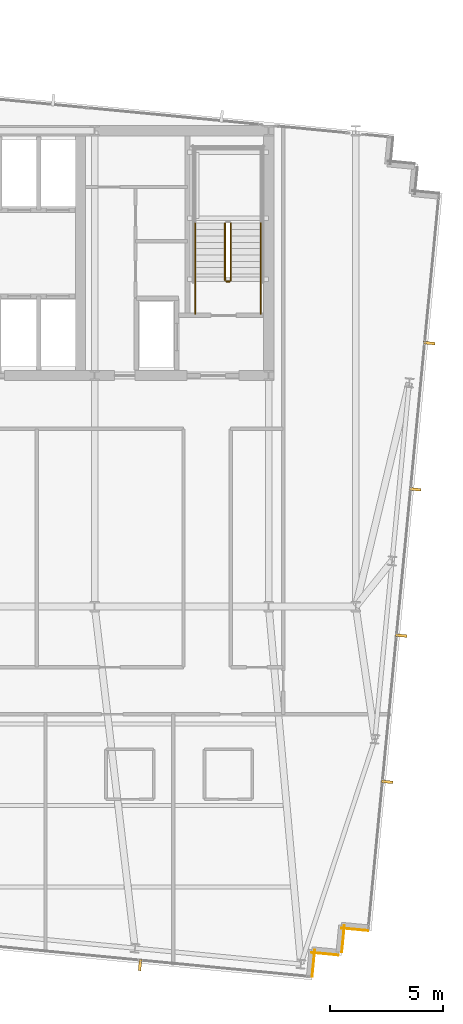
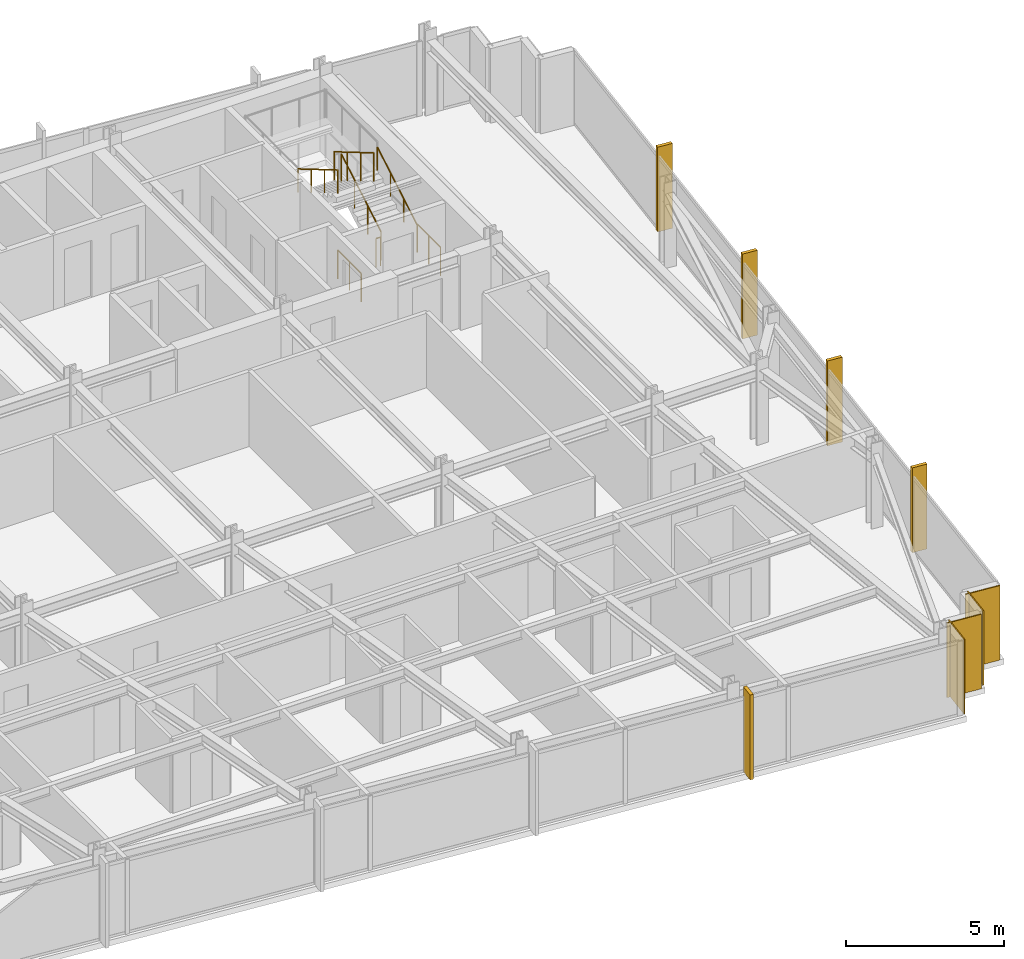
# One storey, part 35 of 37: 7 railings, 5 shading devices, 4 coverings.
"""IFC4 building model written with IfcOpenShell, lengths in metres."""

from ifc_helpers import new_model, si_unit, direction, frame, frame_2d, origin, origin_2d, place, context, subcontext, project, spatial, rectangle, circle, extrude, material, layer, layer_set, type_object, element, save


model = new_model("IFC4")

# Units and contexts
model_context = context("Model", 3, precision=1e-05, world=origin(), true_north=direction((0.0, 1.0)))
body_context = subcontext(model_context, "Body", "Model", "MODEL_VIEW")
ifc_project = project(units=[si_unit("LENGTHUNIT", "METRE"), si_unit("AREAUNIT", "SQUARE_METRE"), si_unit("VOLUMEUNIT", "CUBIC_METRE"), si_unit("PLANEANGLEUNIT", "RADIAN"), si_unit("MASSUNIT", "GRAM", prefix="KILO")], contexts=[model_context])

# Site, building, storey
site_placement = place(None, origin())
site = spatial("IfcSite", under=ifc_project, at=site_placement, CompositionType="ELEMENT")
building_placement = place(site_placement, origin())
building = spatial("IfcBuilding", under=site, at=building_placement, Name="Yelkora Congress Tower", CompositionType="ELEMENT")
storey_placement = place(building_placement, frame((0.0, 0.0, 188.60009765625)))
storey = spatial("IfcBuildingStorey", under=building, at=storey_placement, Name="L52", CompositionType="ELEMENT", Elevation=188.60009765625)

# Coverings
ifc_material_1 = material(Name="Anatolian bush-hammered limestone", Category="masonry")
ifc_layer_1 = layer(ifc_material_1, 0.0400390625)
ifc_layer_set_1 = layer_set([ifc_layer_1], Name="Anatolian bush-hammered limestone")
covering_type = type_object("IfcCoveringType", Name="COV-CLAD-SPANDREL-40", PredefinedType="CLADDING", material=ifc_layer_set_1)
covering_1_placement = place(storey_placement, frame((58.1474609375, 10.898681640625, 0.0), z_axis=(0.0, 0.0, 1.0), x_axis=(-0.995379537303, 0.096018626938, 0.0)))
element("IfcCovering", 1, at=covering_1_placement, inside=storey, type_object=covering_type, Name="L52 Anatolian Limestone Cladding EW-L52-SR16", PredefinedType="CLADDING", context=body_context, shape_type="SweptSolid", body=[
    extrude(rectangle(XDim=1.2001953125, YDim=0.0400390625, at=frame_2d((0.60009765625, 0.0))), origin(), (0.0, 0.0, 1.0), 2.8798828125),
])
covering_2_placement = place(storey_placement, frame((57.10009765625, 11.13525390625, 0.0), z_axis=(0.0, 0.0, 1.0), x_axis=(-0.095836473879, -0.995397091755, 0.0)))
element("IfcCovering", 2, at=covering_2_placement, inside=storey, type_object=covering_type, Name="L52 Anatolian Limestone Cladding EW-L52-SR17", PredefinedType="CLADDING", context=body_context, shape_type="SweptSolid", body=[
    extrude(rectangle(XDim=1.199951171875, YDim=0.0400390625, at=frame_2d((0.60009765625, 0.0))), origin(), (0.0, 0.0, 1.0), 2.8798828125),
])
for number, where, z_axis, x_axis, name in (
    (3, (56.837890625, 9.8193359375, 0.0), (0.0, 0.0, 1.0), (-0.995398960025, 0.095817067274, 0.0), "L52 Anatolian Limestone Cladding EW-L52-SR18"),
    (4, (55.790771484375, 10.055908203125, 0.0), (0.0, 0.0, 1.0), (-0.095817067274, -0.995398960025, 0.0), "L52 Anatolian Limestone Cladding EW-L52-SR19"),
):
    element("IfcCovering", number, at=place(storey_placement, frame(where, z_axis=z_axis, x_axis=x_axis)), inside=storey, type_object=covering_type, Name=name, PredefinedType="CLADDING", context=body_context, shape_type="SweptSolid", body=[
        extrude(rectangle(XDim=1.2001953125, YDim=0.0400390625, at=frame_2d((0.60009765625, 0.0))), origin(), (0.0, 0.0, 1.0), 2.8798828125),
    ])

# Railings
ifc_material_2 = material(Name="Painted galvanised steel stair well guard with vertical infill", Category="steel")
ifc_layer_2 = layer(ifc_material_2, 0.06005859375)
ifc_layer_set_2 = layer_set([ifc_layer_2], Name="Painted galvanised steel stair well guard with vertical infill")
railing_type_1 = type_object("IfcRailingType", Name="RAIL-STAIR-GUARD-1120", PredefinedType="GUARDRAIL", material=ifc_layer_set_2)
railing_1_placement = place(storey_placement, frame((52.090087890625, 39.60009765625, 0.164794921875)))
element("IfcRailing", 5, at=railing_1_placement, inside=storey, type_object=railing_type_1, Name="ST-02 L52 Stair Well Guardrail 1", PredefinedType="GUARDRAIL", context=body_context, shape_type="SweptSolid", body=[
    extrude(circle(Radius=0.02392578125, at=origin_2d()), frame((0.0, 0.0, 1.09619140625), z_axis=(0.0, 0.86152411907, 0.507716645641), x_axis=(-1.0, 0.0, 0.0)), (0.0, 0.0, 1.0), 2.925048828125),
    extrude(circle(Radius=0.02099609375, at=origin_2d()), origin(), (0.0, 0.0, 1.0), 1.072021484375),
    extrude(circle(Radius=0.02099609375, at=origin_2d()), frame((0.0, 0.840087890625, 0.4951171875)), (0.0, 0.0, 1.0), 1.072021484375),
    extrude(circle(Radius=0.02099609375, at=origin_2d()), frame((0.0, 1.679931640625, 0.989990234375)), (0.0, 0.0, 1.0), 1.072021484375),
    extrude(circle(Radius=0.02099609375, at=origin_2d()), frame((0.0, 2.52001953125, 1.485107421875)), (0.0, 0.0, 1.0), 1.072021484375),
])
railing_2_placement = place(storey_placement, frame((51.830078125, 42.1201171875, 1.81494140625)))
element("IfcRailing", 6, at=railing_2_placement, inside=storey, type_object=railing_type_1, Name="ST-02 L52 Stair Well Guardrail 6", PredefinedType="GUARDRAIL", context=body_context, shape_type="SweptSolid", body=[
    extrude(circle(Radius=0.02392578125, at=origin_2d()), frame((0.0, 0.0, 1.09619140625), z_axis=(0.0, -0.861560626758, 0.507654692109), x_axis=(1.0, 0.0, 0.0)), (0.0, 0.0, 1.0), 2.925048828125),
    extrude(circle(Radius=0.02099609375, at=origin_2d()), origin(), (0.0, 0.0, 1.0), 1.072021484375),
    extrude(circle(Radius=0.02099609375, at=origin_2d()), frame((0.0, -0.840087890625, 0.494873046875)), (0.0, 0.0, 1.0), 1.072021484375),
    extrude(circle(Radius=0.02099609375, at=origin_2d()), frame((0.0, -1.679931640625, 0.989990234375)), (0.0, 0.0, 1.0), 1.072021484375),
    extrude(circle(Radius=0.02099609375, at=origin_2d()), frame((0.0, -2.52001953125, 1.48486328125)), (0.0, 0.0, 1.0), 1.072021484375),
])
railing_3_placement = place(storey_placement, frame((52.0400390625, 39.550048828125, 0.0)))
element("IfcRailing", 7, at=railing_3_placement, inside=storey, type_object=railing_type_1, Name="ST-02 L52 Stair Well Guardrail 7", PredefinedType="GUARDRAIL", context=body_context, shape_type="SweptSolid", body=[
    extrude(circle(Radius=0.02392578125, at=origin_2d()), frame((0.0, 0.0, 1.09619140625), z_axis=(-1.0, 0.0, 0.0), x_axis=(0.0, -1.0, 0.0)), (0.0, 0.0, 1.0), 0.16015625),
    extrude(circle(Radius=0.02099609375, at=origin_2d()), origin(), (0.0, 0.0, 1.0), 1.072021484375),
    extrude(circle(Radius=0.02099609375, at=origin_2d()), frame((-0.16015625, 0.0, 0.0)), (0.0, 0.0, 1.0), 1.072021484375),
])
for number, where, name in (
    (8, (53.409912109375, 38.1201171875, 0.0), "ST-02 L52 Stair Well Guardrail 8"),
    (9, (50.510009765625, 38.1201171875, 0.0), "ST-02 L52 Stair Well Guardrail 9"),
):
    element("IfcRailing", number, at=place(storey_placement, frame(where)), inside=storey, type_object=railing_type_1, Name=name, PredefinedType="GUARDRAIL", context=body_context, shape_type="SweptSolid", body=[
        extrude(circle(Radius=0.02392578125, at=origin_2d()), frame((0.0, 0.0, 1.09619140625), z_axis=(0.0, 1.0, 0.0), x_axis=(-1.0, 0.0, 0.0)), (0.0, 0.0, 1.0), 1.47998046875),
        extrude(circle(Radius=0.02099609375, at=origin_2d()), origin(), (0.0, 0.0, 1.0), 1.072021484375),
        extrude(circle(Radius=0.02099609375, at=origin_2d()), frame((0.0, 0.739990234375, 0.0)), (0.0, 0.0, 1.0), 1.072021484375),
        extrude(circle(Radius=0.02099609375, at=origin_2d()), frame((0.0, 1.47998046875, 0.0)), (0.0, 0.0, 1.0), 1.072021484375),
    ])
ifc_material_3 = material(Name="Brushed stainless steel tubular handrail", Category="steel")
ifc_layer_3 = layer(ifc_material_3, 0.050048828125)
ifc_layer_set_3 = layer_set([ifc_layer_3], Name="Brushed stainless steel tubular handrail")
railing_type_2 = type_object("IfcRailingType", Name="RAIL-STAIR-HAND-920", PredefinedType="HANDRAIL", material=ifc_layer_set_3)
railing_4_placement = place(storey_placement, frame((53.409912109375, 39.60009765625, 0.164794921875)))
element("IfcRailing", 10, at=railing_4_placement, inside=storey, type_object=railing_type_2, Name="ST-02 L52 Pitch Handrail 1", PredefinedType="HANDRAIL", context=body_context, shape_type="SweptSolid", body=[
    extrude(circle(Radius=0.02392578125, at=origin_2d()), frame((0.0, 0.0, 0.89599609375), z_axis=(0.0, 0.86152411907, 0.507716645641), x_axis=(-1.0, 0.0, 0.0)), (0.0, 0.0, 1.0), 2.925048828125),
    extrude(circle(Radius=0.02099609375, at=origin_2d()), origin(), (0.0, 0.0, 1.0), 0.871826171875),
    extrude(circle(Radius=0.02099609375, at=origin_2d()), frame((0.0, 0.840087890625, 0.4951171875)), (0.0, 0.0, 1.0), 0.871826171875),
    extrude(circle(Radius=0.02099609375, at=origin_2d()), frame((0.0, 1.679931640625, 0.989990234375)), (0.0, 0.0, 1.0), 0.871826171875),
    extrude(circle(Radius=0.02099609375, at=origin_2d()), frame((0.0, 2.52001953125, 1.485107421875)), (0.0, 0.0, 1.0), 0.871826171875),
])
railing_5_placement = place(storey_placement, frame((50.510009765625, 42.1201171875, 1.81494140625)))
element("IfcRailing", 11, at=railing_5_placement, inside=storey, type_object=railing_type_2, Name="ST-02 L52 Pitch Handrail 2", PredefinedType="HANDRAIL", context=body_context, shape_type="SweptSolid", body=[
    extrude(circle(Radius=0.02392578125, at=origin_2d()), frame((0.0, 0.0, 0.89599609375), z_axis=(0.0, -0.861560626758, 0.507654692109), x_axis=(1.0, 0.0, 0.0)), (0.0, 0.0, 1.0), 2.925048828125),
    extrude(circle(Radius=0.02099609375, at=origin_2d()), origin(), (0.0, 0.0, 1.0), 0.871826171875),
    extrude(circle(Radius=0.02099609375, at=origin_2d()), frame((0.0, -0.840087890625, 0.494873046875)), (0.0, 0.0, 1.0), 0.871826171875),
    extrude(circle(Radius=0.02099609375, at=origin_2d()), frame((0.0, -1.679931640625, 0.989990234375)), (0.0, 0.0, 1.0), 0.871826171875),
    extrude(circle(Radius=0.02099609375, at=origin_2d()), frame((0.0, -2.52001953125, 1.48486328125)), (0.0, 0.0, 1.0), 0.871826171875),
])

# Shading devices
ifc_material_4 = material(Name="Champagne anodised aluminium", Category="aluminium")
ifc_layer_4 = layer(ifc_material_4, 3.300048828125)
ifc_layer_set_4 = layer_set([ifc_layer_4], Name="Champagne anodised aluminium")
shading_device_type = type_object("IfcShadingDeviceType", Name="SHD-FIN-ALU-520", PredefinedType="USERDEFINED", material=ifc_layer_set_4)
for number, where, z_axis, x_axis, name in (
    (12, (60.84521484375, 36.83056640625, -0.0302734375), (0.0, 0.0, 1.0), (-0.09584575252, -0.995396198367, 0.0), "L52 Vertical Anodised Solar Fin 15-1"),
    (13, (60.223876953125, 30.37646484375, -0.0302734375), (0.0, 0.0, 1.0), (-0.09584575252, -0.995396198367, 0.0), "L52 Vertical Anodised Solar Fin 15-2"),
    (14, (59.602294921875, 23.92236328125, -0.0302734375), (0.0, 0.0, 1.0), (-0.09584575252, -0.995396198367, 0.0), "L52 Vertical Anodised Solar Fin 15-3"),
    (15, (58.98095703125, 17.46826171875, -0.0302734375), (0.0, 0.0, 1.0), (-0.09584575252, -0.995396198367, 0.0), "L52 Vertical Anodised Solar Fin 15-4"),
    (16, (48.082275390625, 9.3916015625, -0.0302734375), (0.0, 0.0, 1.0), (-0.995396198367, 0.09584575252, 0.0), "L52 Vertical Anodised Solar Fin 20-1"),
):
    element("IfcShadingDevice", number, at=place(storey_placement, frame(where, z_axis=z_axis, x_axis=x_axis)), inside=storey, type_object=shading_device_type, Name=name, ObjectType="FIN", PredefinedType="USERDEFINED", context=body_context, shape_type="SweptSolid", body=[
        extrude(rectangle(XDim=0.1201171875, YDim=0.52001953125, at=origin_2d()), origin(), (0.0, 0.0, 1.0), 3.280029296875),
    ])

save(model, "model.ifc")
